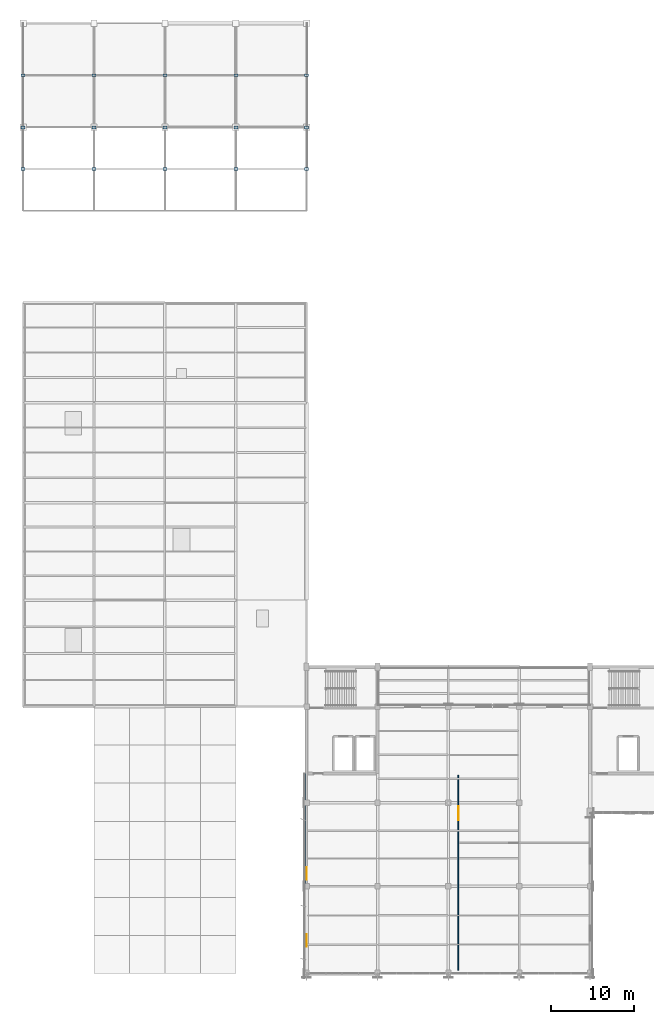
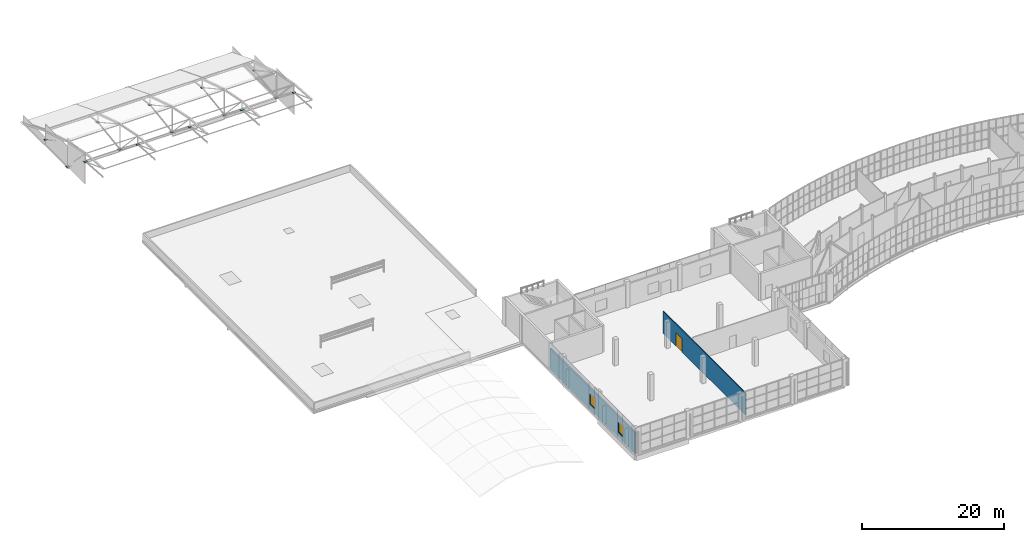
# One storey, part 51 of 66: 15 plates, 2 walls, 2 windows, 1 door, 3 openings.
"""IFC4 building model written with IfcOpenShell, lengths in metres."""

from ifc_helpers import new_model, si_unit, direction, frame, frame_2d, origin, origin_2d, place, context, subcontext, project, spatial, rectangle, extrude, material, layer, layer_set, type_object, element, fill, save


model = new_model("IFC4")

# Units and contexts
model_context = context("Model", 3, precision=1e-05, world=origin(), true_north=direction((0.0, 1.0)))
body_context = subcontext(model_context, "Body", "Model", "MODEL_VIEW")
ifc_project = project(units=[si_unit("LENGTHUNIT", "METRE"), si_unit("AREAUNIT", "SQUARE_METRE"), si_unit("VOLUMEUNIT", "CUBIC_METRE"), si_unit("PLANEANGLEUNIT", "RADIAN"), si_unit("MASSUNIT", "GRAM", prefix="KILO")], contexts=[model_context])

# Site, building, storey
site_placement = place(None, origin())
site = spatial("IfcSite", under=ifc_project, at=site_placement, CompositionType="ELEMENT")
building_placement = place(site_placement, origin())
building = spatial("IfcBuilding", under=site, at=building_placement, Name="Solvikara Media Centre", CompositionType="ELEMENT")
storey_placement = place(building_placement, frame((0.0, 0.0, 19.800048828125)))
storey = spatial("IfcBuildingStorey", under=building, at=storey_placement, Name="L04", CompositionType="ELEMENT", Elevation=19.800048828125)

# Plates
ifc_material_1 = material(Name="Steel S355JR", Category="steel")
ifc_layer_1 = layer(ifc_material_1, 0.01806640625)
ifc_layer_set_1 = layer_set([ifc_layer_1], Name="Steel S355JR")
plate_type = type_object("IfcPlateType", Name="PL-08", PredefinedType="USERDEFINED", material=ifc_layer_set_1)
for number, where, z_axis, x_axis, name in (
    (1, (0.0, 107.75, 0.726806640625), (0.0, 0.0, 1.0), (1.0, 0.0, 0.0), "GP-AM-00-01"),
    (2, (0.0, 101.5, -0.1591796875), (0.0, 0.0, 1.0), (1.0, 0.0, 0.0), "GP-AM-00-02"),
    (3, (0.0, 96.5, 3.725830078125), (0.0, 0.0, 1.0), (1.0, 0.0, 0.0), "GP-AM-00-03"),
    (4, (8.5, 107.75, 0.726806640625), (0.0, 0.0, 1.0), (1.0, 0.0, 0.0), "GP-AM-01-01"),
    (5, (8.5, 101.5, -0.1591796875), (0.0, 0.0, 1.0), (1.0, 0.0, 0.0), "GP-AM-01-02"),
    (6, (8.5, 96.5, 3.725830078125), (0.0, 0.0, 1.0), (1.0, 0.0, 0.0), "GP-AM-01-03"),
    (7, (17.0, 107.75, 0.726806640625), (0.0, 0.0, 1.0), (1.0, 0.0, 0.0), "GP-AM-02-01"),
    (8, (17.0, 101.5, -0.1591796875), (0.0, 0.0, 1.0), (1.0, 0.0, 0.0), "GP-AM-02-02"),
    (9, (17.0, 96.5, 3.725830078125), (0.0, 0.0, 1.0), (1.0, 0.0, 0.0), "GP-AM-02-03"),
    (10, (25.5, 107.75, 0.726806640625), (0.0, 0.0, 1.0), (1.0, 0.0, 0.0), "GP-AM-03-01"),
    (11, (25.5, 101.5, -0.1591796875), (0.0, 0.0, 1.0), (1.0, 0.0, 0.0), "GP-AM-03-02"),
    (12, (25.5, 96.5, 3.725830078125), (0.0, 0.0, 1.0), (1.0, 0.0, 0.0), "GP-AM-03-03"),
    (13, (34.0, 107.75, 0.726806640625), (0.0, 0.0, 1.0), (1.0, 0.0, 0.0), "GP-AM-04-01"),
    (14, (34.0, 101.5, -0.1591796875), (0.0, 0.0, 1.0), (1.0, 0.0, 0.0), "GP-AM-04-02"),
    (15, (34.0, 96.5, 3.725830078125), (0.0, 0.0, 1.0), (1.0, 0.0, 0.0), "GP-AM-04-03"),
):
    element("IfcPlate", number, at=place(storey_placement, frame(where, z_axis=z_axis, x_axis=x_axis)), inside=storey, type_object=plate_type, Name=name, ObjectType="GUSSET PLATE", PredefinedType="USERDEFINED", context=body_context, shape_type="SweptSolid", body=[
        extrude(rectangle(XDim=0.47998046875, YDim=0.340087890625, at=origin_2d()), origin(), (0.0, 0.0, 1.0), 0.01806640625),
    ])

# Wall, openings, windows
ifc_material_2 = material(Name="Precast concrete fc' 40 MPa (C40/50)", Category="concrete")
ifc_layer_2 = layer(ifc_material_2, 0.260009765625)
ifc_layer_set_2 = layer_set([ifc_layer_2], Name="Precast concrete fc' 40 MPa (C40/50)")
wall_type_1 = type_object("IfcWallType", Name="WT-12", PredefinedType="STANDARD", material=ifc_layer_set_2)
wall_1_placement = place(storey_placement, frame((34.0, 0.0, 0.0), z_axis=(0.0, 0.0, 1.0), x_axis=(0.0, 1.0, 0.0)))
wall_1 = element("IfcWall", 16, at=wall_1_placement, inside=storey, type_object=wall_type_1, Name="EW-L04-V6-W", PredefinedType="STANDARD", context=body_context, shape_type="SweptSolid", body=[
    extrude(rectangle(XDim=24.0, YDim=0.260009765625, at=frame_2d((12.0, 0.0))), origin(), (0.0, 0.0, 1.0), 3.659912109375),
])
opening_1_placement = place(wall_1_placement, frame((3.25, 0.0, 0.89990234375)))
opening_1 = element("IfcOpeningElement", 17, at=opening_1_placement, cuts=wall_1, Name="Opening W-L04-V6W-W01", PredefinedType="OPENING", context=body_context, shape_type="SweptSolid", body=[
    extrude(rectangle(XDim=1.5, YDim=1.800048828125, at=frame_2d((0.75, 0.89990234375))), frame((0.0, 0.14208984375, 0.0), z_axis=(0.0, -1.0, 0.0), x_axis=(1.0, 0.0, 0.0)), (0.0, 0.0, 1.0), 0.283935546875),
])
opening_2_placement = place(wall_1_placement, frame((11.25, 0.0, 0.89990234375)))
opening_2 = element("IfcOpeningElement", 18, at=opening_2_placement, cuts=wall_1, Name="Opening W-L04-V6W-W02", PredefinedType="OPENING", context=body_context, shape_type="SweptSolid", body=[
    extrude(rectangle(XDim=1.5, YDim=1.800048828125, at=frame_2d((0.75, 0.89990234375))), frame((0.0, 0.14208984375, 0.0), z_axis=(0.0, -1.0, 0.0), x_axis=(1.0, 0.0, 0.0)), (0.0, 0.0, 1.0), 0.283935546875),
])
ifc_material_3 = material(Name="Double-glazed low-E architectural glass", Category="glass")
window_type = type_object("IfcWindowType", Name="WN-02", PartitioningType="SINGLE_PANEL", PredefinedType="WINDOW", material=ifc_material_3)
window_1_placement = place(opening_1_placement, origin())
window_1 = element("IfcWindow", 19, at=window_1_placement, inside=storey, type_object=window_type, Name="W-L04-V6W-W01", OverallHeight=1.800048828125, OverallWidth=1.5, PartitioningType="SINGLE_PANEL", PredefinedType="WINDOW", context=body_context, shape_type="SweptSolid", body=[
    extrude(rectangle(XDim=1.5, YDim=1.800048828125, at=frame_2d((0.75, 0.89990234375))), frame((0.0, 0.030029296875, 0.0), z_axis=(0.0, -1.0, 0.0), x_axis=(1.0, 0.0, 0.0)), (0.0, 0.0, 1.0), 0.06005859375),
])
fill(opening_1, window_1)
window_2_placement = place(opening_2_placement, origin())
window_2 = element("IfcWindow", 20, at=window_2_placement, inside=storey, type_object=window_type, Name="W-L04-V6W-W02", OverallHeight=1.800048828125, OverallWidth=1.5, PartitioningType="SINGLE_PANEL", PredefinedType="WINDOW", context=body_context, shape_type="SweptSolid", body=[
    extrude(rectangle(XDim=1.5, YDim=1.800048828125, at=frame_2d((0.75, 0.89990234375))), frame((0.0, 0.030029296875, 0.0), z_axis=(0.0, -1.0, 0.0), x_axis=(1.0, 0.0, 0.0)), (0.0, 0.0, 1.0), 0.06005859375),
])
fill(opening_2, window_2)

# Wall, opening, door
ifc_material_4 = material(Name="Double-stud acoustic gypsum partition assembly")
ifc_layer_3 = layer(ifc_material_4, 0.139892578125)
ifc_layer_set_3 = layer_set([ifc_layer_3], Name="Double-stud acoustic gypsum partition assembly")
wall_type_2 = type_object("IfcWallType", Name="WT-20", PredefinedType="PARTITIONING", material=ifc_layer_set_3)
wall_2_placement = place(storey_placement, frame((52.199951171875, 0.39990234375, 0.0), z_axis=(0.0, 0.0, 1.0), x_axis=(0.0, 1.0, 0.0)))
wall_2 = element("IfcWall", 21, at=wall_2_placement, inside=storey, type_object=wall_type_2, Name="PW-L04-166", PredefinedType="PARTITIONING", context=body_context, shape_type="SweptSolid", body=[
    extrude(rectangle(XDim=23.400146484375, YDim=0.139892578125, at=frame_2d((11.7001953125, 0.0))), origin(), (0.0, 0.0, 1.0), 3.807861328125),
])
opening_3_placement = place(wall_2_placement, frame((18.0, 0.0, 0.0)))
opening_3 = element("IfcOpeningElement", 22, at=opening_3_placement, cuts=wall_2, Name="Opening D-L04-166-1", PredefinedType="OPENING", context=body_context, shape_type="SweptSolid", body=[
    extrude(rectangle(XDim=1.699951171875, YDim=2.35009765625, at=frame_2d((0.85009765625, 1.175048828125))), frame((0.0, 0.08203125, 0.0), z_axis=(0.0, -1.0, 0.0), x_axis=(1.0, 0.0, 0.0)), (0.0, 0.0, 1.0), 0.163818359375),
])
ifc_material_5 = material(Name="Anodised aluminium EN AW-6063", Category="aluminium")
door_type = type_object("IfcDoorType", Name="DT-21", OperationType="DOUBLE_DOOR_SINGLE_SWING", PredefinedType="DOOR", material=ifc_material_5)
door_placement = place(opening_3_placement, origin())
door = element("IfcDoor", 23, at=door_placement, inside=storey, type_object=door_type, Name="D-L04-166-1", OperationType="DOUBLE_DOOR_SINGLE_SWING", OverallHeight=2.35009765625, OverallWidth=1.699951171875, PredefinedType="DOOR", context=body_context, shape_type="SweptSolid", body=[
    extrude(rectangle(XDim=1.699951171875, YDim=2.35009765625, at=frame_2d((0.85009765625, 1.175048828125))), frame((0.0, 0.02490234375, 0.0), z_axis=(0.0, -1.0, 0.0), x_axis=(1.0, 0.0, 0.0)), (0.0, 0.0, 1.0), 0.050048828125),
])
fill(opening_3, door)

save(model, "model.ifc")
